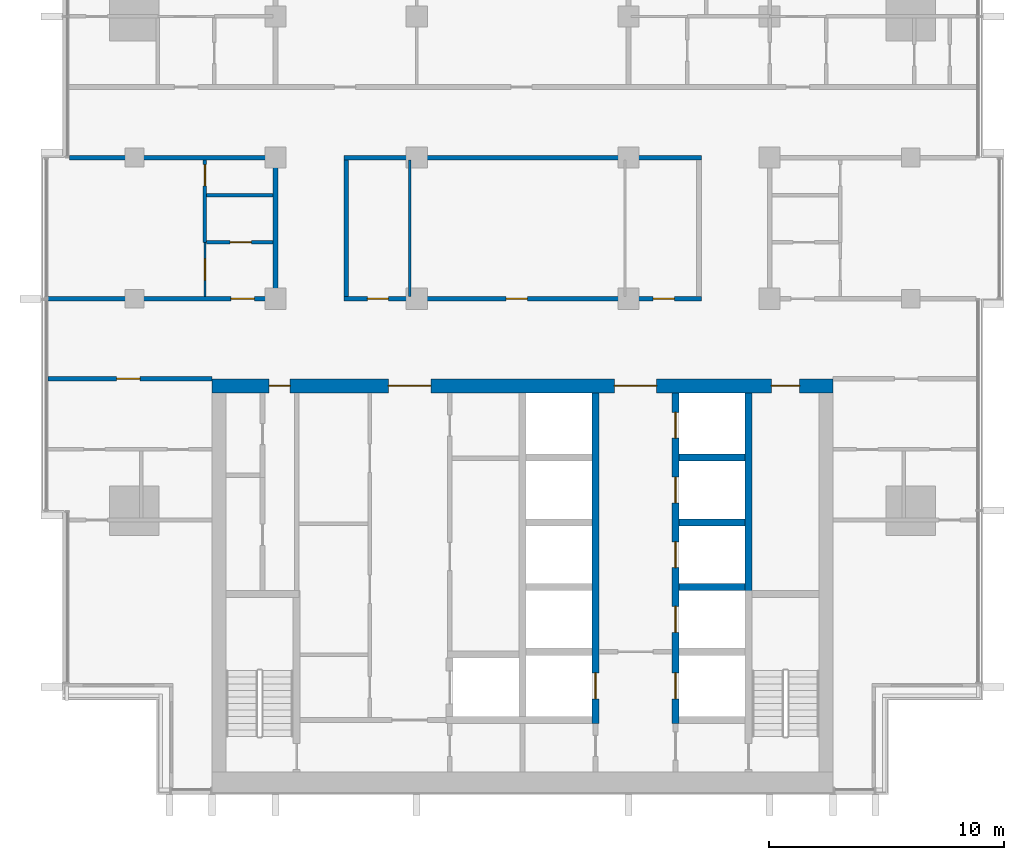
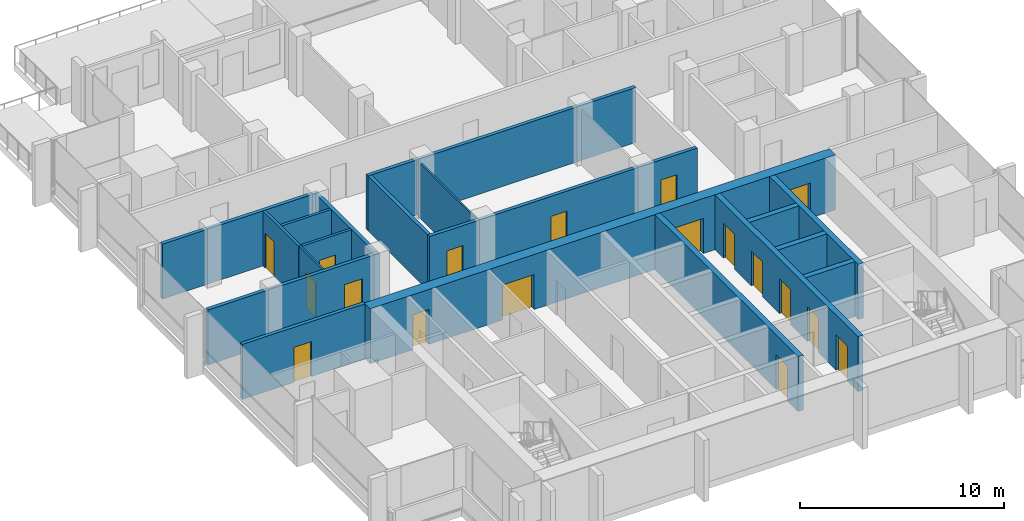
# One storey, part 8 of 17: 19 walls, 18 doors, 18 openings.
"""IFC4 building model written with IfcOpenShell, lengths in metres."""

from ifc_helpers import new_model, si_unit, direction, frame, frame_2d, origin, place, context, subcontext, project, spatial, rectangle, extrude, material, layer, layer_set, type_object, element, fill, save


model = new_model("IFC4")

# Units and contexts
model_context = context("Model", 3, precision=1e-05, world=origin(), true_north=direction((0.0, 1.0)))
body_context = subcontext(model_context, "Body", "Model", "MODEL_VIEW")
ifc_project = project(units=[si_unit("LENGTHUNIT", "METRE"), si_unit("AREAUNIT", "SQUARE_METRE"), si_unit("VOLUMEUNIT", "CUBIC_METRE"), si_unit("PLANEANGLEUNIT", "RADIAN"), si_unit("MASSUNIT", "GRAM", prefix="KILO")], contexts=[model_context])

# Site, building, storey
site_placement = place(None, origin())
site = spatial("IfcSite", under=ifc_project, at=site_placement, CompositionType="ELEMENT")
building_placement = place(site_placement, origin())
building = spatial("IfcBuilding", under=site, at=building_placement, Name="Finial Court Residences", CompositionType="ELEMENT")
storey_placement = place(building_placement, frame((0.0, 0.0, 205.10009765625)))
storey = spatial("IfcBuildingStorey", under=building, at=storey_placement, Name="L51", CompositionType="ELEMENT", Elevation=205.10009765625)

# Wall, openings, doors
ifc_material_1 = material(Name="Concrete C60/75", Category="concrete")
ifc_layer_1 = layer(ifc_material_1, 0.60009765625)
ifc_layer_set_1 = layer_set([ifc_layer_1], Name="Core outer wall 600 Concrete C60/75")
wall_type_1 = type_object("IfcWallType", Name="Core outer wall 600 Concrete C60/75", PredefinedType="SHEAR", material=ifc_layer_set_1)
wall_1_placement = place(storey_placement, frame((-13.199951171875, -8.199951171875, 0.0), z_axis=(0.0, 0.0, 1.0), x_axis=(1.0, 0.0, 0.0)))
wall_1 = element("IfcWall", 1, at=wall_1_placement, inside=storey, type_object=wall_type_1, Name="Core outer wall L51-02", PredefinedType="SHEAR", context=body_context, shape_type="SweptSolid", body=[
    extrude(rectangle(XDim=26.39990234375, YDim=0.60009765625, at=frame_2d((13.199951171875, 0.0))), origin(), (0.0, 0.0, 1.0), 3.2998046875),
])
opening_1_placement = place(wall_1_placement, frame((7.5, 0.0, 0.0)))
opening_1 = element("IfcOpeningElement", 2, at=opening_1_placement, cuts=wall_1, Name="Opening L51-C04", PredefinedType="OPENING", context=body_context, shape_type="SweptSolid", body=[
    extrude(rectangle(XDim=1.800048828125, YDim=2.10009765625, at=frame_2d((0.89990234375, 1.050048828125))), frame((0.0, 0.31005859375, 0.0), z_axis=(0.0, -1.0, 0.0), x_axis=(1.0, 0.0, 0.0)), (0.0, 0.0, 1.0), 0.6201171875),
])
opening_2_placement = place(wall_1_placement, frame((17.10009765625, 0.0, 0.0)))
opening_2 = element("IfcOpeningElement", 3, at=opening_2_placement, cuts=wall_1, Name="Opening L51-C05", PredefinedType="OPENING", context=body_context, shape_type="SweptSolid", body=[
    extrude(rectangle(XDim=1.800048828125, YDim=2.10009765625, at=frame_2d((0.89990234375, 1.050048828125))), frame((0.0, 0.31005859375, 0.0), z_axis=(0.0, -1.0, 0.0), x_axis=(1.0, 0.0, 0.0)), (0.0, 0.0, 1.0), 0.6201171875),
])
opening_3_placement = place(wall_1_placement, frame((2.425048828125, 0.0, 0.0)))
opening_3 = element("IfcOpeningElement", 4, at=opening_3_placement, cuts=wall_1, Name="Opening L51-C10", PredefinedType="OPENING", context=body_context, shape_type="SweptSolid", body=[
    extrude(rectangle(XDim=0.89990234375, YDim=2.10009765625, at=frame_2d((0.449951171875, 1.050048828125))), frame((0.0, 0.31005859375, 0.0), z_axis=(0.0, -1.0, 0.0), x_axis=(1.0, 0.0, 0.0)), (0.0, 0.0, 1.0), 0.6201171875),
])
opening_4_placement = place(wall_1_placement, frame((23.77490234375, 0.0, 0.0)))
opening_4 = element("IfcOpeningElement", 5, at=opening_4_placement, cuts=wall_1, Name="Opening L51-C11", PredefinedType="OPENING", context=body_context, shape_type="SweptSolid", body=[
    extrude(rectangle(XDim=1.199951171875, YDim=2.10009765625, at=frame_2d((0.60009765625, 1.050048828125))), frame((0.0, 0.31005859375, 0.0), z_axis=(0.0, -1.0, 0.0), x_axis=(1.0, 0.0, 0.0)), (0.0, 0.0, 1.0), 0.6201171875),
])
ifc_material_2 = material(Name="Steel fire door", Category="steel")
door_type_1 = type_object("IfcDoorType", Name="Lift lobby door 1800 x 2100 EI 60", OperationType="DOUBLE_DOOR_SINGLE_SWING", PredefinedType="DOOR", material=ifc_material_2)
door_1_placement = place(opening_1_placement, origin())
door_1 = element("IfcDoor", 6, at=door_1_placement, inside=storey, type_object=door_type_1, Name="Lift lobby door L51-C04", OperationType="DOUBLE_DOOR_SINGLE_SWING", OverallHeight=2.10009765625, OverallWidth=1.800048828125, PredefinedType="DOOR", context=body_context, shape_type="SweptSolid", body=[
    extrude(rectangle(XDim=1.800048828125, YDim=2.10009765625, at=frame_2d((0.89990234375, 1.050048828125))), frame((0.0, 0.02490234375, 0.0), z_axis=(0.0, -1.0, 0.0), x_axis=(1.0, 0.0, 0.0)), (0.0, 0.0, 1.0), 0.050048828125),
])
fill(opening_1, door_1)
door_2_placement = place(opening_2_placement, origin())
door_2 = element("IfcDoor", 7, at=door_2_placement, inside=storey, type_object=door_type_1, Name="Lift lobby door L51-C05", OperationType="DOUBLE_DOOR_SINGLE_SWING", OverallHeight=2.10009765625, OverallWidth=1.800048828125, PredefinedType="DOOR", context=body_context, shape_type="SweptSolid", body=[
    extrude(rectangle(XDim=1.800048828125, YDim=2.10009765625, at=frame_2d((0.89990234375, 1.050048828125))), frame((0.0, 0.02490234375, 0.0), z_axis=(0.0, -1.0, 0.0), x_axis=(1.0, 0.0, 0.0)), (0.0, 0.0, 1.0), 0.050048828125),
])
fill(opening_2, door_2)
door_type_2 = type_object("IfcDoorType", Name="Riser room door 1200 x 2100 EI 90", OperationType="NOTDEFINED", PredefinedType="DOOR", material=ifc_material_2)
door_3_placement = place(opening_4_placement, origin())
door_3 = element("IfcDoor", 8, at=door_3_placement, inside=storey, type_object=door_type_2, Name="Riser room door L51-C11", OperationType="SINGLE_SWING_RIGHT", OverallHeight=2.10009765625, OverallWidth=1.199951171875, PredefinedType="DOOR", context=body_context, shape_type="SweptSolid", body=[
    extrude(rectangle(XDim=1.199951171875, YDim=2.10009765625, at=frame_2d((0.60009765625, 1.050048828125))), frame((0.0, 0.02490234375, 0.0), z_axis=(0.0, -1.0, 0.0), x_axis=(1.0, 0.0, 0.0)), (0.0, 0.0, 1.0), 0.050048828125),
])
fill(opening_4, door_3)
door_type_3 = type_object("IfcDoorType", Name="Riser room door 900 x 2100 EI 90", OperationType="NOTDEFINED", PredefinedType="DOOR", material=ifc_material_2)
door_4_placement = place(opening_3_placement, origin())
door_4 = element("IfcDoor", 9, at=door_4_placement, inside=storey, type_object=door_type_3, Name="Riser room door L51-C10", OperationType="SINGLE_SWING_RIGHT", OverallHeight=2.10009765625, OverallWidth=0.89990234375, PredefinedType="DOOR", context=body_context, shape_type="SweptSolid", body=[
    extrude(rectangle(XDim=0.89990234375, YDim=2.10009765625, at=frame_2d((0.449951171875, 1.050048828125))), frame((0.0, 0.02490234375, 0.0), z_axis=(0.0, -1.0, 0.0), x_axis=(1.0, 0.0, 0.0)), (0.0, 0.0, 1.0), 0.050048828125),
])
fill(opening_3, door_4)

# Wall, opening, door
ifc_material_3 = material(Name="Gypsum board")
ifc_layer_2 = layer(ifc_material_3, 0.02490234375)
ifc_material_4 = material(Name="Acoustic mineral wool in double frame")
ifc_layer_3 = layer(ifc_material_4, 0.14990234375)
ifc_layer_4 = layer(ifc_material_3, 0.02490234375)
ifc_layer_set_2 = layer_set([ifc_layer_2, ifc_layer_3, ifc_layer_4], Name="Corridor wall 200, 1 hour")
wall_type_2 = type_object("IfcWallType", Name="Corridor wall 200, 1 hour", PredefinedType="PARTITIONING", material=ifc_layer_set_2)
wall_2_placement = place(storey_placement, frame((-20.16259765625, -7.89990234375, 0.0), z_axis=(0.0, 0.0, 1.0), x_axis=(1.0, 0.0, 0.0)))
wall_2 = element("IfcWall", 10, at=wall_2_placement, inside=storey, type_object=wall_type_2, Name="Partition L51-004", PredefinedType="PARTITIONING", context=body_context, shape_type="SweptSolid", body=[
    extrude(rectangle(XDim=6.962646484375, YDim=0.199951171875, at=frame_2d((3.4814453125, 0.0))), origin(), (0.0, 0.0, 1.0), 3.2998046875),
])
opening_5_placement = place(wall_2_placement, frame((2.9130859375, 0.0, 0.0)))
opening_5 = element("IfcOpeningElement", 11, at=opening_5_placement, cuts=wall_2, Name="Opening L51-D007", PredefinedType="OPENING", context=body_context, shape_type="SweptSolid", body=[
    extrude(rectangle(XDim=1.0, YDim=2.10009765625, at=frame_2d((0.5, 1.050048828125))), frame((0.0, 0.10986328125, 0.0), z_axis=(0.0, -1.0, 0.0), x_axis=(1.0, 0.0, 0.0)), (0.0, 0.0, 1.0), 0.219970703125),
])
ifc_material_5 = material(Name="Timber door leaf in hollow metal frame", Category="wood")
door_type_4 = type_object("IfcDoorType", Name="Fire door set 1000 x 2100, 30 minutes", OperationType="SINGLE_SWING_LEFT", PredefinedType="DOOR", material=ifc_material_5)
door_5_placement = place(opening_5_placement, origin())
door_5 = element("IfcDoor", 12, at=door_5_placement, inside=storey, type_object=door_type_4, Name="Door L51-D007", OperationType="SINGLE_SWING_LEFT", OverallHeight=2.10009765625, OverallWidth=1.0, PredefinedType="DOOR", context=body_context, shape_type="SweptSolid", body=[
    extrude(rectangle(XDim=1.0, YDim=2.10009765625, at=frame_2d((0.5, 1.050048828125))), frame((0.0, 0.02490234375, 0.0), z_axis=(0.0, -1.0, 0.0), x_axis=(1.0, 0.0, 0.0)), (0.0, 0.0, 1.0), 0.050048828125),
])
fill(opening_5, door_5)

wall_3_placement = place(storey_placement, frame((-20.16259765625, -4.5, 0.0), z_axis=(0.0, 0.0, 1.0), x_axis=(1.0, 0.0, 0.0)))
wall_3 = element("IfcWall", 13, at=wall_3_placement, inside=storey, type_object=wall_type_2, Name="Partition L51-006", PredefinedType="PARTITIONING", context=body_context, shape_type="SweptSolid", body=[
    extrude(rectangle(XDim=9.7626953125, YDim=0.199951171875, at=frame_2d((4.88134765625, 0.0))), origin(), (0.0, 0.0, 1.0), 3.2998046875),
])
opening_6_placement = place(wall_3_placement, frame((7.762939453125, 0.0, 0.0)))
opening_6 = element("IfcOpeningElement", 14, at=opening_6_placement, cuts=wall_3, Name="Opening L51-D009", PredefinedType="OPENING", context=body_context, shape_type="SweptSolid", body=[
    extrude(rectangle(XDim=1.0, YDim=2.10009765625, at=frame_2d((0.5, 1.050048828125))), frame((0.0, 0.10986328125, 0.0), z_axis=(0.0, -1.0, 0.0), x_axis=(1.0, 0.0, 0.0)), (0.0, 0.0, 1.0), 0.219970703125),
])
door_6_placement = place(opening_6_placement, origin())
door_6 = element("IfcDoor", 15, at=door_6_placement, inside=storey, type_object=door_type_4, Name="Door L51-D009", OperationType="SINGLE_SWING_LEFT", OverallHeight=2.10009765625, OverallWidth=1.0, PredefinedType="DOOR", context=body_context, shape_type="SweptSolid", body=[
    extrude(rectangle(XDim=1.0, YDim=2.10009765625, at=frame_2d((0.5, 1.050048828125))), frame((0.0, 0.02490234375, 0.0), z_axis=(0.0, -1.0, 0.0), x_axis=(1.0, 0.0, 0.0)), (0.0, 0.0, 1.0), 0.050048828125),
])
fill(opening_6, door_6)

# Wall, openings, doors
wall_4_placement = place(storey_placement, frame((-7.60009765625, -4.5, 0.0), z_axis=(0.0, 0.0, 1.0), x_axis=(1.0, 0.0, 0.0)))
wall_4 = element("IfcWall", 16, at=wall_4_placement, inside=storey, type_object=wall_type_2, Name="Partition L51-007", PredefinedType="PARTITIONING", context=body_context, shape_type="SweptSolid", body=[
    extrude(rectangle(XDim=15.2001953125, YDim=0.199951171875, at=frame_2d((7.60009765625, 0.0))), origin(), (0.0, 0.0, 1.0), 3.2998046875),
])
opening_7_placement = place(wall_4_placement, frame((1.0, 0.0, 0.0)))
opening_7 = element("IfcOpeningElement", 17, at=opening_7_placement, cuts=wall_4, Name="Opening L51-D010", PredefinedType="OPENING", context=body_context, shape_type="SweptSolid", body=[
    extrude(rectangle(XDim=0.89990234375, YDim=2.10009765625, at=frame_2d((0.449951171875, 1.050048828125))), frame((0.0, 0.10986328125, 0.0), z_axis=(0.0, -1.0, 0.0), x_axis=(1.0, 0.0, 0.0)), (0.0, 0.0, 1.0), 0.219970703125),
])
opening_8_placement = place(wall_4_placement, frame((6.89990234375, 0.0, 0.0)))
opening_8 = element("IfcOpeningElement", 18, at=opening_8_placement, cuts=wall_4, Name="Opening L51-D011", PredefinedType="OPENING", context=body_context, shape_type="SweptSolid", body=[
    extrude(rectangle(XDim=0.89990234375, YDim=2.10009765625, at=frame_2d((0.449951171875, 1.050048828125))), frame((0.0, 0.10986328125, 0.0), z_axis=(0.0, -1.0, 0.0), x_axis=(1.0, 0.0, 0.0)), (0.0, 0.0, 1.0), 0.219970703125),
])
opening_9_placement = place(wall_4_placement, frame((13.14990234375, 0.0, 0.0)))
opening_9 = element("IfcOpeningElement", 19, at=opening_9_placement, cuts=wall_4, Name="Opening L51-D012", PredefinedType="OPENING", context=body_context, shape_type="SweptSolid", body=[
    extrude(rectangle(XDim=0.89990234375, YDim=2.10009765625, at=frame_2d((0.449951171875, 1.050048828125))), frame((0.0, 0.10986328125, 0.0), z_axis=(0.0, -1.0, 0.0), x_axis=(1.0, 0.0, 0.0)), (0.0, 0.0, 1.0), 0.219970703125),
])
door_type_5 = type_object("IfcDoorType", Name="Fire door set 900 x 2100, 30 minutes", OperationType="SINGLE_SWING_LEFT", PredefinedType="DOOR", material=ifc_material_5)
door_7_placement = place(opening_7_placement, origin())
door_7 = element("IfcDoor", 20, at=door_7_placement, inside=storey, type_object=door_type_5, Name="Door L51-D010", OperationType="SINGLE_SWING_RIGHT", OverallHeight=2.10009765625, OverallWidth=0.89990234375, PredefinedType="DOOR", context=body_context, shape_type="SweptSolid", body=[
    extrude(rectangle(XDim=0.89990234375, YDim=2.10009765625, at=frame_2d((0.449951171875, 1.050048828125))), frame((0.0, 0.02490234375, 0.0), z_axis=(0.0, -1.0, 0.0), x_axis=(1.0, 0.0, 0.0)), (0.0, 0.0, 1.0), 0.050048828125),
])
fill(opening_7, door_7)
door_8_placement = place(opening_8_placement, origin())
door_8 = element("IfcDoor", 21, at=door_8_placement, inside=storey, type_object=door_type_5, Name="Door L51-D011", OperationType="SINGLE_SWING_RIGHT", OverallHeight=2.10009765625, OverallWidth=0.89990234375, PredefinedType="DOOR", context=body_context, shape_type="SweptSolid", body=[
    extrude(rectangle(XDim=0.89990234375, YDim=2.10009765625, at=frame_2d((0.449951171875, 1.050048828125))), frame((0.0, 0.02490234375, 0.0), z_axis=(0.0, -1.0, 0.0), x_axis=(1.0, 0.0, 0.0)), (0.0, 0.0, 1.0), 0.050048828125),
])
fill(opening_8, door_8)
door_9_placement = place(opening_9_placement, origin())
door_9 = element("IfcDoor", 22, at=door_9_placement, inside=storey, type_object=door_type_5, Name="Door L51-D012", OperationType="SINGLE_SWING_LEFT", OverallHeight=2.10009765625, OverallWidth=0.89990234375, PredefinedType="DOOR", context=body_context, shape_type="SweptSolid", body=[
    extrude(rectangle(XDim=0.89990234375, YDim=2.10009765625, at=frame_2d((0.449951171875, 1.050048828125))), frame((0.0, 0.02490234375, 0.0), z_axis=(0.0, -1.0, 0.0), x_axis=(1.0, 0.0, 0.0)), (0.0, 0.0, 1.0), 0.050048828125),
])
fill(opening_9, door_9)

# Walls
wall_5_placement = place(storey_placement, frame((-19.262451171875, 1.5, 0.0), z_axis=(0.0, 0.0, 1.0), x_axis=(1.0, 0.0, 0.0)))
element("IfcWall", 23, at=wall_5_placement, inside=storey, type_object=wall_type_2, Name="Partition L51-013", PredefinedType="PARTITIONING", context=body_context, shape_type="SweptSolid", body=[
    extrude(rectangle(XDim=8.862548828125, YDim=0.199951171875, at=frame_2d((4.43115234375, 0.0))), origin(), (0.0, 0.0, 1.0), 3.2998046875),
])
wall_6_placement = place(storey_placement, frame((-7.60009765625, 1.5, 0.0), z_axis=(0.0, 0.0, 1.0), x_axis=(1.0, 0.0, 0.0)))
element("IfcWall", 24, at=wall_6_placement, inside=storey, type_object=wall_type_2, Name="Partition L51-014", PredefinedType="PARTITIONING", context=body_context, shape_type="SweptSolid", body=[
    extrude(rectangle(XDim=15.2001953125, YDim=0.199951171875, at=frame_2d((7.60009765625, 0.0))), origin(), (0.0, 0.0, 1.0), 3.2998046875),
])
for number, where, z_axis, x_axis, name in (
    (25, (-10.5, -4.39990234375, 0.0), (0.0, 0.0, 1.0), (0.0, 1.0, 0.0), "Partition L51-031"),
    (26, (-7.5, -4.39990234375, 0.0), (0.0, 0.0, 1.0), (0.0, 1.0, 0.0), "Partition L51-033"),
):
    element("IfcWall", number, at=place(storey_placement, frame(where, z_axis=z_axis, x_axis=x_axis)), inside=storey, type_object=wall_type_2, Name=name, PredefinedType="PARTITIONING", context=body_context, shape_type="SweptSolid", body=[
        extrude(rectangle(XDim=5.7998046875, YDim=0.199951171875, at=frame_2d((2.89990234375, 0.0))), origin(), (0.0, 0.0, 1.0), 3.2998046875),
    ])

# Wall, opening, door
ifc_layer_5 = layer(ifc_material_3, 0.012451171875)
ifc_material_6 = material(Name="Mineral wool in light-gauge frame")
ifc_layer_6 = layer(ifc_material_6, 0.074951171875)
ifc_layer_7 = layer(ifc_material_3, 0.012451171875)
ifc_layer_set_3 = layer_set([ifc_layer_5, ifc_layer_6, ifc_layer_7], Name="Gypsum board partition 100")
wall_type_3 = type_object("IfcWallType", Name="Gypsum board partition 100", PredefinedType="PARTITIONING", material=ifc_layer_set_3)
wall_7_placement = place(storey_placement, frame((-13.5, -4.39990234375, 0.0), z_axis=(0.0, 0.0, 1.0), x_axis=(0.0, 1.0, 0.0)))
wall_7 = element("IfcWall", 27, at=wall_7_placement, inside=storey, type_object=wall_type_3, Name="Partition L51-028", PredefinedType="PARTITIONING", context=body_context, shape_type="SweptSolid", body=[
    extrude(rectangle(XDim=2.2998046875, YDim=0.10009765625, at=frame_2d((1.14990234375, 0.0))), origin(), (0.0, 0.0, 1.0), 3.2998046875),
])
opening_10_placement = place(wall_7_placement, frame((0.699951171875, 0.0, 0.0)))
opening_10 = element("IfcOpeningElement", 28, at=opening_10_placement, cuts=wall_7, Name="Opening L51-D025", PredefinedType="OPENING", context=body_context, shape_type="SweptSolid", body=[
    extrude(rectangle(XDim=0.89990234375, YDim=2.10009765625, at=frame_2d((0.449951171875, 1.050048828125))), frame((0.0, 0.06005859375, 0.0), z_axis=(0.0, -1.0, 0.0), x_axis=(1.0, 0.0, 0.0)), (0.0, 0.0, 1.0), 0.1201171875),
])
ifc_material_7 = material(Name="Timber door leaf in timber frame", Category="wood")
door_type_6 = type_object("IfcDoorType", Name="Door set 900 x 2100", OperationType="SINGLE_SWING_LEFT", PredefinedType="DOOR", material=ifc_material_7)
door_10_placement = place(opening_10_placement, origin())
door_10 = element("IfcDoor", 29, at=door_10_placement, inside=storey, type_object=door_type_6, Name="Door L51-D025", OperationType="SINGLE_SWING_LEFT", OverallHeight=2.10009765625, OverallWidth=0.89990234375, PredefinedType="DOOR", context=body_context, shape_type="SweptSolid", body=[
    extrude(rectangle(XDim=0.89990234375, YDim=2.10009765625, at=frame_2d((0.449951171875, 1.050048828125))), frame((0.0, 0.02490234375, 0.0), z_axis=(0.0, -1.0, 0.0), x_axis=(1.0, 0.0, 0.0)), (0.0, 0.0, 1.0), 0.050048828125),
])
fill(opening_10, door_10)

# Wall
wall_8_placement = place(storey_placement, frame((-4.800048828125, -4.39990234375, 0.0), z_axis=(0.0, 0.0, 1.0), x_axis=(0.0, 1.0, 0.0)))
element("IfcWall", 30, at=wall_8_placement, inside=storey, type_object=wall_type_3, Name="Partition L51-034", PredefinedType="PARTITIONING", context=body_context, shape_type="SweptSolid", body=[
    extrude(rectangle(XDim=5.7998046875, YDim=0.10009765625, at=frame_2d((2.89990234375, 0.0))), origin(), (0.0, 0.0, 1.0), 3.2998046875),
])

# Wall, opening, door
ifc_material_8 = material(Name="Moisture-resistant gypsum board")
ifc_layer_8 = layer(ifc_material_8, 0.012451171875)
ifc_layer_9 = layer(ifc_material_6, 0.125)
ifc_layer_10 = layer(ifc_material_8, 0.012451171875)
ifc_layer_set_4 = layer_set([ifc_layer_8, ifc_layer_9, ifc_layer_10], Name="Gypsum board wet-area partition 150")
wall_type_4 = type_object("IfcWallType", Name="Gypsum board wet-area partition 150", PredefinedType="PARTITIONING", material=ifc_layer_set_4)
wall_9_placement = place(storey_placement, frame((-13.425048828125, -2.10009765625, 0.0), z_axis=(0.0, 0.0, 1.0), x_axis=(1.0, 0.0, 0.0)))
wall_9 = element("IfcWall", 31, at=wall_9_placement, inside=storey, type_object=wall_type_4, Name="Partition L51-009", PredefinedType="PARTITIONING", context=body_context, shape_type="SweptSolid", body=[
    extrude(rectangle(XDim=2.824951171875, YDim=0.14990234375, at=frame_2d((1.41259765625, 0.0))), origin(), (0.0, 0.0, 1.0), 3.2998046875),
])
opening_11_placement = place(wall_9_placement, frame((1.0, 0.0, 0.0)))
opening_11 = element("IfcOpeningElement", 32, at=opening_11_placement, cuts=wall_9, Name="Opening L51-D014", PredefinedType="OPENING", context=body_context, shape_type="SweptSolid", body=[
    extrude(rectangle(XDim=0.89990234375, YDim=2.10009765625, at=frame_2d((0.449951171875, 1.050048828125))), frame((0.0, 0.0849609375, 0.0), z_axis=(0.0, -1.0, 0.0), x_axis=(1.0, 0.0, 0.0)), (0.0, 0.0, 1.0), 0.169921875),
])
door_11_placement = place(opening_11_placement, origin())
door_11 = element("IfcDoor", 33, at=door_11_placement, inside=storey, type_object=door_type_6, Name="Door L51-D014", OperationType="SINGLE_SWING_LEFT", OverallHeight=2.10009765625, OverallWidth=0.89990234375, PredefinedType="DOOR", context=body_context, shape_type="SweptSolid", body=[
    extrude(rectangle(XDim=0.89990234375, YDim=2.10009765625, at=frame_2d((0.449951171875, 1.050048828125))), frame((0.0, 0.02490234375, 0.0), z_axis=(0.0, -1.0, 0.0), x_axis=(1.0, 0.0, 0.0)), (0.0, 0.0, 1.0), 0.050048828125),
])
fill(opening_11, door_11)

# Wall
wall_10_placement = place(storey_placement, frame((-13.425048828125, -0.10009765625, 0.0), z_axis=(0.0, 0.0, 1.0), x_axis=(1.0, 0.0, 0.0)))
element("IfcWall", 34, at=wall_10_placement, inside=storey, type_object=wall_type_4, Name="Partition L51-011", PredefinedType="PARTITIONING", context=body_context, shape_type="SweptSolid", body=[
    extrude(rectangle(XDim=2.824951171875, YDim=0.14990234375, at=frame_2d((1.41259765625, 0.0))), origin(), (0.0, 0.0, 1.0), 3.2998046875),
])

# Wall, opening, door
wall_11_placement = place(storey_placement, frame((-13.5, -2.10009765625, 0.0), z_axis=(0.0, 0.0, 1.0), x_axis=(0.0, 1.0, 0.0)))
wall_11 = element("IfcWall", 35, at=wall_11_placement, inside=storey, type_object=wall_type_4, Name="Partition L51-029", PredefinedType="PARTITIONING", context=body_context, shape_type="SweptSolid", body=[
    extrude(rectangle(XDim=3.5, YDim=0.14990234375, at=frame_2d((1.75, 0.0))), origin(), (0.0, 0.0, 1.0), 3.2998046875),
])
opening_12_placement = place(wall_11_placement, frame((2.39990234375, 0.0, 0.0)))
opening_12 = element("IfcOpeningElement", 36, at=opening_12_placement, cuts=wall_11, Name="Opening L51-D026", PredefinedType="OPENING", context=body_context, shape_type="SweptSolid", body=[
    extrude(rectangle(XDim=0.89990234375, YDim=2.10009765625, at=frame_2d((0.449951171875, 1.050048828125))), frame((0.0, 0.0849609375, 0.0), z_axis=(0.0, -1.0, 0.0), x_axis=(1.0, 0.0, 0.0)), (0.0, 0.0, 1.0), 0.169921875),
])
door_12_placement = place(opening_12_placement, origin())
door_12 = element("IfcDoor", 37, at=door_12_placement, inside=storey, type_object=door_type_6, Name="Door L51-D026", OperationType="SINGLE_SWING_RIGHT", OverallHeight=2.10009765625, OverallWidth=0.89990234375, PredefinedType="DOOR", context=body_context, shape_type="SweptSolid", body=[
    extrude(rectangle(XDim=0.89990234375, YDim=2.10009765625, at=frame_2d((0.449951171875, 1.050048828125))), frame((0.0, 0.02490234375, 0.0), z_axis=(0.0, -1.0, 0.0), x_axis=(1.0, 0.0, 0.0)), (0.0, 0.0, 1.0), 0.050048828125),
])
fill(opening_12, door_12)

# Walls
ifc_layer_11 = layer(ifc_material_1, 0.300048828125)
ifc_layer_set_5 = layer_set([ifc_layer_11], Name="Lift shaft and stair wall 300 Concrete C60/75")
wall_type_5 = type_object("IfcWallType", Name="Lift shaft and stair wall 300 Concrete C60/75", PredefinedType="SHEAR", material=ifc_layer_set_5)
for number, where, z_axis, x_axis, name in (
    (38, (6.64990234375, -16.75, 0.0), (0.0, 0.0, 1.0), (1.0, 0.0, 0.0), "Core wall L51-12"),
    (39, (6.64990234375, -14.0, 0.0), (0.0, 0.0, 1.0), (1.0, 0.0, 0.0), "Core wall L51-15"),
    (40, (6.64990234375, -11.25, 0.0), (0.0, 0.0, 1.0), (1.0, 0.0, 0.0), "Core wall L51-19"),
):
    element("IfcWall", number, at=place(storey_placement, frame(where, z_axis=z_axis, x_axis=x_axis)), inside=storey, type_object=wall_type_5, Name=name, PredefinedType="SHEAR", context=body_context, shape_type="SweptSolid", body=[
        extrude(rectangle(XDim=2.800048828125, YDim=0.300048828125, at=frame_2d((1.39990234375, 0.0))), origin(), (0.0, 0.0, 1.0), 3.2998046875),
    ])

# Wall, opening, door
wall_12_placement = place(storey_placement, frame((3.10009765625, -22.550048828125, 0.0), z_axis=(0.0, 0.0, 1.0), x_axis=(0.0, 1.0, 0.0)))
wall_12 = element("IfcWall", 41, at=wall_12_placement, inside=storey, type_object=wall_type_5, Name="Core wall L51-31", PredefinedType="SHEAR", context=body_context, shape_type="SweptSolid", body=[
    extrude(rectangle(XDim=14.050048828125, YDim=0.300048828125, at=frame_2d((7.02490234375, 0.0))), origin(), (0.0, 0.0, 1.0), 3.2998046875),
])
opening_13_placement = place(wall_12_placement, frame((1.050048828125, 0.0, 0.0)))
opening_13 = element("IfcOpeningElement", 42, at=opening_13_placement, cuts=wall_12, Name="Opening L51-LD01", PredefinedType="OPENING", context=body_context, shape_type="SweptSolid", body=[
    extrude(rectangle(XDim=1.10009765625, YDim=2.10009765625, at=frame_2d((0.550048828125, 1.050048828125))), frame((0.0, 0.159912109375, 0.0), z_axis=(0.0, -1.0, 0.0), x_axis=(1.0, 0.0, 0.0)), (0.0, 0.0, 1.0), 0.320068359375),
])
ifc_material_9 = material(Name="Stainless steel lift door", Category="steel")
door_type_7 = type_object("IfcDoorType", Name="Lift landing door 1100 x 2100 EI 90", OperationType="DOUBLE_DOOR_SLIDING", PredefinedType="DOOR", material=ifc_material_9)
door_13_placement = place(opening_13_placement, origin())
door_13 = element("IfcDoor", 43, at=door_13_placement, inside=storey, type_object=door_type_7, Name="Lift landing door FF1 L51", OperationType="DOUBLE_DOOR_SLIDING", OverallHeight=2.10009765625, OverallWidth=1.10009765625, PredefinedType="DOOR", context=body_context, shape_type="SweptSolid", body=[
    extrude(rectangle(XDim=1.10009765625, YDim=2.10009765625, at=frame_2d((0.550048828125, 1.050048828125))), frame((0.0, 0.02490234375, 0.0), z_axis=(0.0, -1.0, 0.0), x_axis=(1.0, 0.0, 0.0)), (0.0, 0.0, 1.0), 0.050048828125),
])
fill(opening_13, door_13)

# Wall, openings, doors
wall_13_placement = place(storey_placement, frame((6.5, -22.550048828125, 0.0), z_axis=(0.0, 0.0, 1.0), x_axis=(0.0, 1.0, 0.0)))
wall_13 = element("IfcWall", 44, at=wall_13_placement, inside=storey, type_object=wall_type_5, Name="Core wall L51-33", PredefinedType="SHEAR", context=body_context, shape_type="SweptSolid", body=[
    extrude(rectangle(XDim=14.050048828125, YDim=0.300048828125, at=frame_2d((7.02490234375, 0.0))), origin(), (0.0, 0.0, 1.0), 3.2998046875),
])
opening_14_placement = place(wall_13_placement, frame((1.050048828125, 0.0, 0.0)))
opening_14 = element("IfcOpeningElement", 45, at=opening_14_placement, cuts=wall_13, Name="Opening L51-LD02", PredefinedType="OPENING", context=body_context, shape_type="SweptSolid", body=[
    extrude(rectangle(XDim=1.10009765625, YDim=2.10009765625, at=frame_2d((0.550048828125, 1.050048828125))), frame((0.0, 0.159912109375, 0.0), z_axis=(0.0, -1.0, 0.0), x_axis=(1.0, 0.0, 0.0)), (0.0, 0.0, 1.0), 0.320068359375),
])
opening_15_placement = place(wall_13_placement, frame((3.875, 0.0, 0.0)))
opening_15 = element("IfcOpeningElement", 46, at=opening_15_placement, cuts=wall_13, Name="Opening L51-LD03", PredefinedType="OPENING", context=body_context, shape_type="SweptSolid", body=[
    extrude(rectangle(XDim=1.10009765625, YDim=2.10009765625, at=frame_2d((0.550048828125, 1.050048828125))), frame((0.0, 0.159912109375, 0.0), z_axis=(0.0, -1.0, 0.0), x_axis=(1.0, 0.0, 0.0)), (0.0, 0.0, 1.0), 0.320068359375),
])
opening_16_placement = place(wall_13_placement, frame((6.625, 0.0, 0.0)))
opening_16 = element("IfcOpeningElement", 47, at=opening_16_placement, cuts=wall_13, Name="Opening L51-LD04", PredefinedType="OPENING", context=body_context, shape_type="SweptSolid", body=[
    extrude(rectangle(XDim=1.10009765625, YDim=2.10009765625, at=frame_2d((0.550048828125, 1.050048828125))), frame((0.0, 0.159912109375, 0.0), z_axis=(0.0, -1.0, 0.0), x_axis=(1.0, 0.0, 0.0)), (0.0, 0.0, 1.0), 0.320068359375),
])
opening_17_placement = place(wall_13_placement, frame((9.375, 0.0, 0.0)))
opening_17 = element("IfcOpeningElement", 48, at=opening_17_placement, cuts=wall_13, Name="Opening L51-LD05", PredefinedType="OPENING", context=body_context, shape_type="SweptSolid", body=[
    extrude(rectangle(XDim=1.10009765625, YDim=2.10009765625, at=frame_2d((0.550048828125, 1.050048828125))), frame((0.0, 0.159912109375, 0.0), z_axis=(0.0, -1.0, 0.0), x_axis=(1.0, 0.0, 0.0)), (0.0, 0.0, 1.0), 0.320068359375),
])
opening_18_placement = place(wall_13_placement, frame((12.125, 0.0, 0.0)))
opening_18 = element("IfcOpeningElement", 49, at=opening_18_placement, cuts=wall_13, Name="Opening L51-LD06", PredefinedType="OPENING", context=body_context, shape_type="SweptSolid", body=[
    extrude(rectangle(XDim=1.10009765625, YDim=2.10009765625, at=frame_2d((0.550048828125, 1.050048828125))), frame((0.0, 0.159912109375, 0.0), z_axis=(0.0, -1.0, 0.0), x_axis=(1.0, 0.0, 0.0)), (0.0, 0.0, 1.0), 0.320068359375),
])
door_14_placement = place(opening_14_placement, origin())
door_14 = element("IfcDoor", 50, at=door_14_placement, inside=storey, type_object=door_type_7, Name="Lift landing door FF2 L51", OperationType="DOUBLE_DOOR_SLIDING", OverallHeight=2.10009765625, OverallWidth=1.10009765625, PredefinedType="DOOR", context=body_context, shape_type="SweptSolid", body=[
    extrude(rectangle(XDim=1.10009765625, YDim=2.10009765625, at=frame_2d((0.550048828125, 1.050048828125))), frame((0.0, 0.02490234375, 0.0), z_axis=(0.0, -1.0, 0.0), x_axis=(1.0, 0.0, 0.0)), (0.0, 0.0, 1.0), 0.050048828125),
])
fill(opening_14, door_14)
door_15_placement = place(opening_15_placement, origin())
door_15 = element("IfcDoor", 51, at=door_15_placement, inside=storey, type_object=door_type_7, Name="Lift landing door HR5 L51", OperationType="DOUBLE_DOOR_SLIDING", OverallHeight=2.10009765625, OverallWidth=1.10009765625, PredefinedType="DOOR", context=body_context, shape_type="SweptSolid", body=[
    extrude(rectangle(XDim=1.10009765625, YDim=2.10009765625, at=frame_2d((0.550048828125, 1.050048828125))), frame((0.0, 0.02490234375, 0.0), z_axis=(0.0, -1.0, 0.0), x_axis=(1.0, 0.0, 0.0)), (0.0, 0.0, 1.0), 0.050048828125),
])
fill(opening_15, door_15)
door_16_placement = place(opening_16_placement, origin())
door_16 = element("IfcDoor", 52, at=door_16_placement, inside=storey, type_object=door_type_7, Name="Lift landing door HR6 L51", OperationType="DOUBLE_DOOR_SLIDING", OverallHeight=2.10009765625, OverallWidth=1.10009765625, PredefinedType="DOOR", context=body_context, shape_type="SweptSolid", body=[
    extrude(rectangle(XDim=1.10009765625, YDim=2.10009765625, at=frame_2d((0.550048828125, 1.050048828125))), frame((0.0, 0.02490234375, 0.0), z_axis=(0.0, -1.0, 0.0), x_axis=(1.0, 0.0, 0.0)), (0.0, 0.0, 1.0), 0.050048828125),
])
fill(opening_16, door_16)
door_17_placement = place(opening_17_placement, origin())
door_17 = element("IfcDoor", 53, at=door_17_placement, inside=storey, type_object=door_type_7, Name="Lift landing door HR7 L51", OperationType="DOUBLE_DOOR_SLIDING", OverallHeight=2.10009765625, OverallWidth=1.10009765625, PredefinedType="DOOR", context=body_context, shape_type="SweptSolid", body=[
    extrude(rectangle(XDim=1.10009765625, YDim=2.10009765625, at=frame_2d((0.550048828125, 1.050048828125))), frame((0.0, 0.02490234375, 0.0), z_axis=(0.0, -1.0, 0.0), x_axis=(1.0, 0.0, 0.0)), (0.0, 0.0, 1.0), 0.050048828125),
])
fill(opening_17, door_17)
door_18_placement = place(opening_18_placement, origin())
door_18 = element("IfcDoor", 54, at=door_18_placement, inside=storey, type_object=door_type_7, Name="Lift landing door HR8 L51", OperationType="DOUBLE_DOOR_SLIDING", OverallHeight=2.10009765625, OverallWidth=1.10009765625, PredefinedType="DOOR", context=body_context, shape_type="SweptSolid", body=[
    extrude(rectangle(XDim=1.10009765625, YDim=2.10009765625, at=frame_2d((0.550048828125, 1.050048828125))), frame((0.0, 0.02490234375, 0.0), z_axis=(0.0, -1.0, 0.0), x_axis=(1.0, 0.0, 0.0)), (0.0, 0.0, 1.0), 0.050048828125),
])
fill(opening_18, door_18)

# Wall
wall_14_placement = place(storey_placement, frame((9.60009765625, -17.199951171875, 0.0), z_axis=(0.0, 0.0, 1.0), x_axis=(0.0, 1.0, 0.0)))
element("IfcWall", 55, at=wall_14_placement, inside=storey, type_object=wall_type_5, Name="Core wall L51-35", PredefinedType="SHEAR", context=body_context, shape_type="SweptSolid", body=[
    extrude(rectangle(XDim=8.699951171875, YDim=0.300048828125, at=frame_2d((4.35009765625, 0.0))), origin(), (0.0, 0.0, 1.0), 3.2998046875),
])

save(model, "model.ifc")
